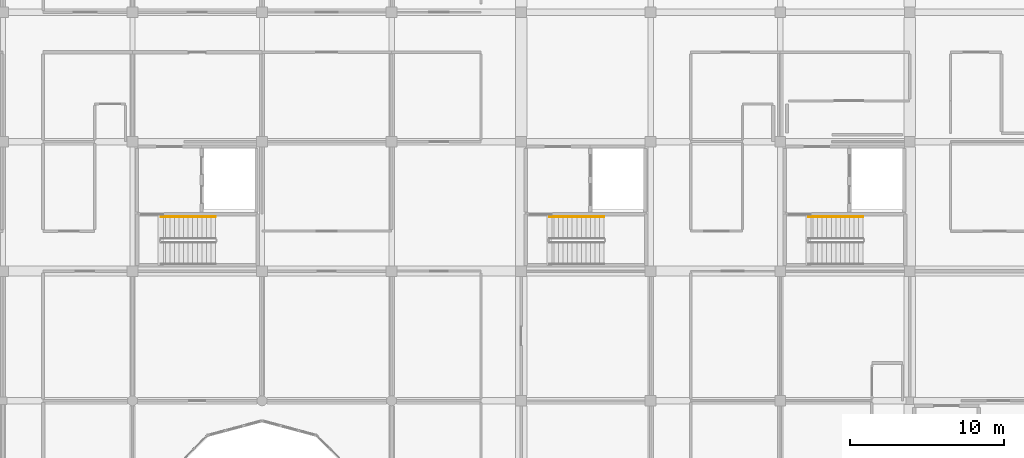
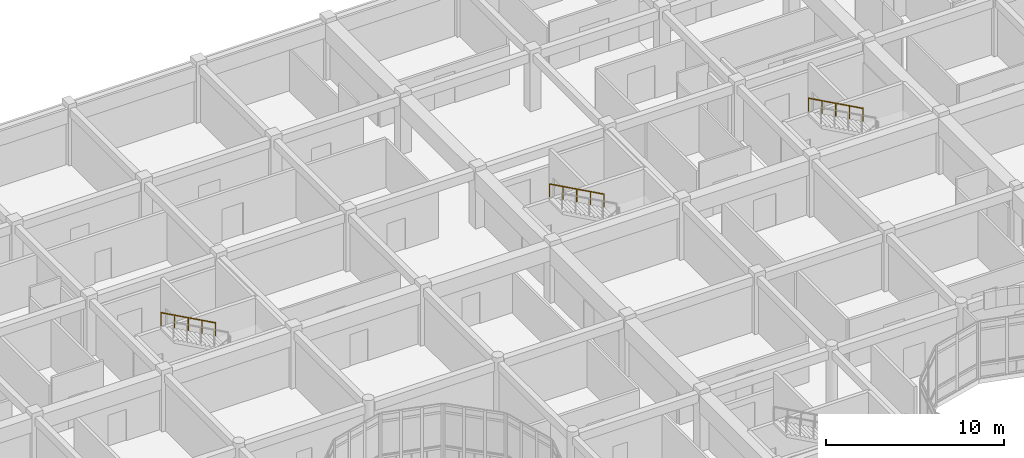
# One storey, part 114 of 119: 3 railings.
"""IFC4 building model written with IfcOpenShell, lengths in metres."""

from ifc_helpers import new_model, si_unit, direction, frame, origin, origin_2d, place, context, subcontext, project, spatial, circle, extrude, material, type_object, element, save


model = new_model("IFC4")

# Units and contexts
model_context = context("Model", 3, precision=1e-05, world=origin(), true_north=direction((0.0, 1.0)))
body_context = subcontext(model_context, "Body", "Model", "MODEL_VIEW")
ifc_project = project(units=[si_unit("LENGTHUNIT", "METRE"), si_unit("AREAUNIT", "SQUARE_METRE"), si_unit("VOLUMEUNIT", "CUBIC_METRE"), si_unit("PLANEANGLEUNIT", "RADIAN"), si_unit("MASSUNIT", "GRAM", prefix="KILO")], contexts=[model_context])

# Site, building, storey
site_placement = place(None, origin())
site = spatial("IfcSite", under=ifc_project, at=site_placement, CompositionType="ELEMENT")
building_placement = place(site_placement, origin())
building = spatial("IfcBuilding", under=site, at=building_placement, Name="Bramfleet General Hospital", CompositionType="ELEMENT")
storey_placement = place(building_placement, frame((0.0, 0.0, 14.39990234375)))
storey = spatial("IfcBuildingStorey", under=building, at=storey_placement, Name="L03", CompositionType="ELEMENT", Elevation=14.39990234375)

# Railings
ifc_material = material(Name="Stainless steel 1.4301 stair handrail", Category="steel")
railing_type = type_object("IfcRailingType", Name="RAIL-ST-HND", PredefinedType="HANDRAIL", material=ifc_material)
for number, where, name in (
    (1, (106.179931640625, 95.929931640625, 2.26171875), "L03 ST-C4 stair handrail 2"),
    (2, (80.97998046875, 95.929931640625, 2.26171875), "L03 ST-C5 stair handrail 2"),
    (3, (122.97998046875, 95.929931640625, 2.26171875), "L03 ST-C6 stair handrail 2"),
):
    element("IfcRailing", number, at=place(storey_placement, frame(where)), inside=storey, type_object=railing_type, Name=name, PredefinedType="HANDRAIL", context=body_context, shape_type="SweptSolid", body=[
        extrude(circle(Radius=0.02392578125, at=origin_2d()), frame((0.0, 0.0, 0.8759765625), z_axis=(-0.877108402541, 0.0, 0.480292463185), x_axis=(0.0, -1.0, 0.0)), (0.0, 0.0, 1.0), 4.0361328125),
        extrude(circle(Radius=0.02099609375, at=origin_2d()), origin(), (0.0, 0.0, 1.0), 0.851806640625),
        extrude(circle(Radius=0.02099609375, at=origin_2d()), frame((-0.885009765625, 0.0, 0.484619140625)), (0.0, 0.0, 1.0), 0.851806640625),
        extrude(circle(Radius=0.02099609375, at=origin_2d()), frame((-1.77001953125, 0.0, 0.96923828125)), (0.0, 0.0, 1.0), 0.851806640625),
        extrude(circle(Radius=0.02099609375, at=origin_2d()), frame((-2.655029296875, 0.0, 1.453857421875)), (0.0, 0.0, 1.0), 0.851806640625),
        extrude(circle(Radius=0.02099609375, at=origin_2d()), frame((-3.5400390625, 0.0, 1.9384765625)), (0.0, 0.0, 1.0), 0.851806640625),
    ])

save(model, "model.ifc")
